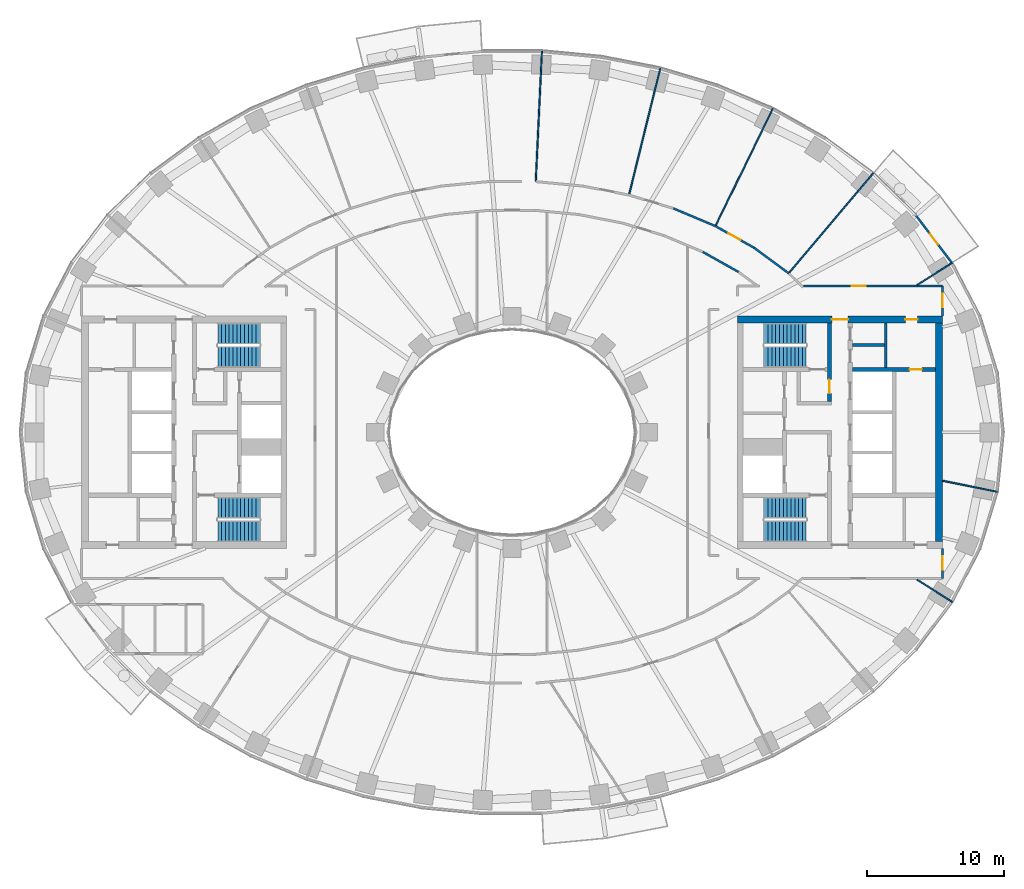
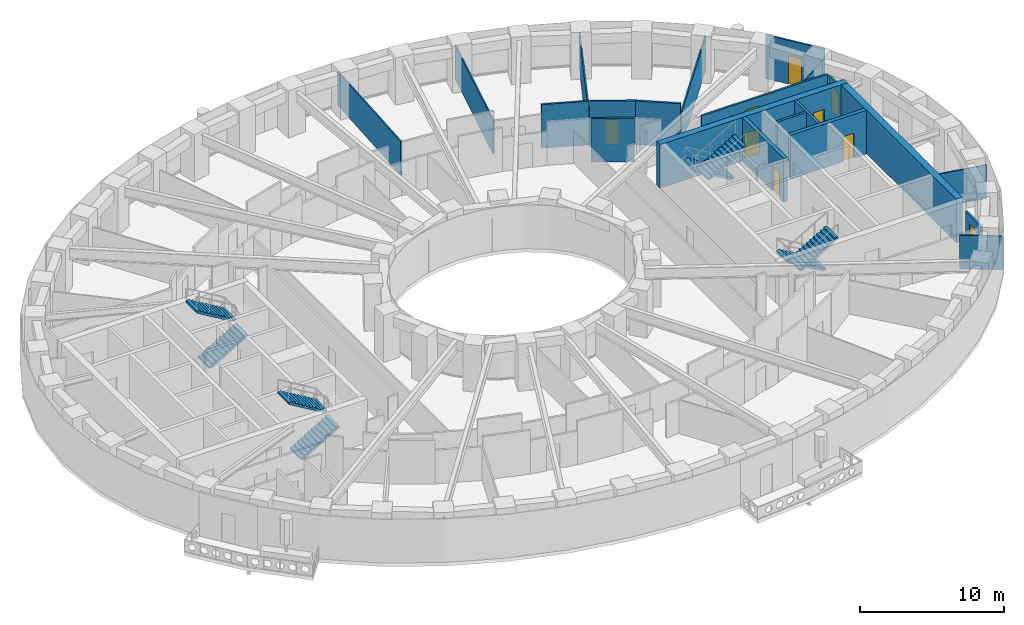
# One storey, part 7 of 16: 21 walls, 9 doors, 8 stair flights, 9 openings, 4 elements without a shape of their own.
"""IFC4 building model written with IfcOpenShell, lengths in metres."""

from ifc_helpers import new_model, si_unit, direction, frame, frame_2d, origin, place, context, subcontext, project, spatial, polyline, rectangle, outline, extrude, material, layer, layer_set, type_object, element, fill, aggregate, save


model = new_model("IFC4")

# Units and contexts
model_context = context("Model", 3, precision=1e-05, world=origin(), true_north=direction((0.0, 1.0)))
body_context = subcontext(model_context, "Body", "Model", "MODEL_VIEW")
ifc_project = project(units=[si_unit("LENGTHUNIT", "METRE"), si_unit("AREAUNIT", "SQUARE_METRE"), si_unit("VOLUMEUNIT", "CUBIC_METRE"), si_unit("PLANEANGLEUNIT", "RADIAN"), si_unit("MASSUNIT", "GRAM", prefix="KILO")], contexts=[model_context])

# Site, building, storey
site_placement = place(None, origin())
site = spatial("IfcSite", under=ifc_project, at=site_placement, CompositionType="ELEMENT")
building_placement = place(site_placement, origin())
building = spatial("IfcBuilding", under=site, at=building_placement, Name="Noorbagh Ring Tower", CompositionType="ELEMENT")
storey_placement = place(building_placement, frame((0.0, 0.0, 66.5)))
storey = spatial("IfcBuildingStorey", under=building, at=storey_placement, Name="L14", CompositionType="ELEMENT", Elevation=66.5)

# Walls
ifc_material_1 = material(Name="Gypsum board on steel studs", Category="steel")
ifc_layer_1 = layer(ifc_material_1, 0.199951171875)
ifc_layer_set_1 = layer_set([ifc_layer_1], Name="Gypsum board on steel studs")
wall_type_1 = type_object("IfcWallType", Name="CORE-PARTITION-200", PredefinedType="PARTITIONING", material=ifc_layer_set_1)
wall_1_placement = place(storey_placement, frame((27.35009765625, 4.75, 0.0), z_axis=(0.0, 0.0, 1.0), x_axis=(0.0, 1.0, 0.0)))
element("IfcWall", 1, at=wall_1_placement, inside=storey, type_object=wall_type_1, Name="Core partition E", PredefinedType="PARTITIONING", context=body_context, shape_type="SweptSolid", body=[
    extrude(rectangle(XDim=3.25, YDim=0.199951171875, at=frame_2d((1.625, 0.0))), origin(), (0.0, 0.0, 1.0), 3.699951171875),
])
wall_2_placement = place(storey_placement, frame((24.89990234375, 6.39990234375, 0.0), z_axis=(0.0, 0.0, 1.0), x_axis=(1.0, 0.0, 0.0)))
element("IfcWall", 2, at=wall_2_placement, inside=storey, type_object=wall_type_1, Name="Core partition E", PredefinedType="PARTITIONING", context=body_context, shape_type="SweptSolid", body=[
    extrude(rectangle(XDim=2.35009765625, YDim=0.199951171875, at=frame_2d((1.175048828125, 0.0))), origin(), (0.0, 0.0, 1.0), 3.699951171875),
])

# Wall, opening, door
ifc_material_2 = material(Name="Concrete C70/85", Category="concrete")
ifc_layer_2 = layer(ifc_material_2, 0.300048828125)
ifc_layer_set_2 = layer_set([ifc_layer_2], Name="Concrete C70/85")
wall_type_2 = type_object("IfcWallType", Name="CORE-WALL-300-C70-85-EI240", PredefinedType="SHEAR", material=ifc_layer_set_2)
wall_3_placement = place(storey_placement, frame((24.89990234375, 4.60009765625, 0.0), z_axis=(0.0, 0.0, 1.0), x_axis=(1.0, 0.0, 0.0)))
wall_3 = element("IfcWall", 3, at=wall_3_placement, inside=storey, type_object=wall_type_2, Name="Core wall E", PredefinedType="SHEAR", context=body_context, shape_type="SweptSolid", body=[
    extrude(rectangle(XDim=6.10009765625, YDim=0.300048828125, at=frame_2d((3.050048828125, 0.0))), origin(), (0.0, 0.0, 1.0), 3.699951171875),
])
opening_1_placement = place(wall_3_placement, frame((4.199951171875, 0.0, 0.0)))
opening_1 = element("IfcOpeningElement", 4, at=opening_1_placement, cuts=wall_3, Name="Opening L14-CE18", PredefinedType="OPENING", context=body_context, shape_type="SweptSolid", body=[
    extrude(rectangle(XDim=0.89990234375, YDim=2.10009765625, at=frame_2d((0.449951171875, 1.050048828125))), frame((0.0, 0.16015625, 0.0), z_axis=(0.0, -1.0, 0.0), x_axis=(1.0, 0.0, 0.0)), (0.0, 0.0, 1.0), 0.320068359375),
])
ifc_material_3 = material(Name="Steel door leaf", Category="steel")
door_type_1 = type_object("IfcDoorType", Name="CORE-DOOR-DROOM", OperationType="SINGLE_SWING_LEFT", PredefinedType="DOOR", material=ifc_material_3)
door_1_placement = place(opening_1_placement, origin())
door_1 = element("IfcDoor", 5, at=door_1_placement, inside=storey, type_object=door_type_1, Name="Core room door L14-CE18", OperationType="SINGLE_SWING_RIGHT", OverallHeight=2.10009765625, OverallWidth=0.89990234375, PredefinedType="DOOR", context=body_context, shape_type="SweptSolid", body=[
    extrude(rectangle(XDim=0.89990234375, YDim=2.10009765625, at=frame_2d((0.449951171875, 1.050048828125))), frame((0.0, 0.02490234375, 0.0), z_axis=(0.0, -1.0, 0.0), x_axis=(1.0, 0.0, 0.0)), (0.0, 0.0, 1.0), 0.050048828125),
])
fill(opening_1, door_1)

wall_4_placement = place(storey_placement, frame((23.22998046875, 2.25, 0.0), z_axis=(0.0, 0.0, 1.0), x_axis=(0.0, 1.0, 0.0)))
wall_4 = element("IfcWall", 6, at=wall_4_placement, inside=storey, type_object=wall_type_2, Name="Core wall E", PredefinedType="SHEAR", context=body_context, shape_type="SweptSolid", body=[
    extrude(rectangle(XDim=5.75, YDim=0.300048828125, at=frame_2d((2.875, 0.0))), origin(), (0.0, 0.0, 1.0), 3.699951171875),
])
opening_2_placement = place(wall_4_placement, frame((0.60009765625, 0.0, 0.0)))
opening_2 = element("IfcOpeningElement", 7, at=opening_2_placement, cuts=wall_4, Name="Opening L14-CE08", PredefinedType="OPENING", context=body_context, shape_type="SweptSolid", body=[
    extrude(rectangle(XDim=1.0, YDim=2.10009765625, at=frame_2d((0.5, 1.050048828125))), frame((0.0, 0.16015625, 0.0), z_axis=(0.0, -1.0, 0.0), x_axis=(1.0, 0.0, 0.0)), (0.0, 0.0, 1.0), 0.320068359375),
])
ifc_material_4 = material(Name="Steel door leaf", Category="steel")
door_type_2 = type_object("IfcDoorType", Name="CORE-DOOR-DVEST", OperationType="SINGLE_SWING_LEFT", PredefinedType="DOOR", material=ifc_material_4)
door_2_placement = place(opening_2_placement, origin())
door_2 = element("IfcDoor", 8, at=door_2_placement, inside=storey, type_object=door_type_2, Name="Stair vestibule door L14-CE08", OperationType="SINGLE_SWING_RIGHT", OverallHeight=2.10009765625, OverallWidth=1.0, PredefinedType="DOOR", context=body_context, shape_type="SweptSolid", body=[
    extrude(rectangle(XDim=1.0, YDim=2.10009765625, at=frame_2d((0.5, 1.050048828125))), frame((0.0, 0.02490234375, 0.0), z_axis=(0.0, -1.0, 0.0), x_axis=(1.0, 0.0, 0.0)), (0.0, 0.0, 1.0), 0.050048828125),
])
fill(opening_2, door_2)

# Wall, openings, doors
ifc_material_5 = material(Name="Concrete C70/85", Category="concrete")
ifc_layer_3 = layer(ifc_material_5, 0.5)
ifc_layer_set_3 = layer_set([ifc_layer_3], Name="Concrete C70/85")
wall_type_3 = type_object("IfcWallType", Name="CORE-WALL-500-C70-85-EI240", PredefinedType="SHEAR", material=ifc_layer_set_3)
wall_5_placement = place(storey_placement, frame((16.5, 8.25, 0.0), z_axis=(0.0, 0.0, 1.0), x_axis=(1.0, 0.0, 0.0)))
wall_5 = element("IfcWall", 9, at=wall_5_placement, inside=storey, type_object=wall_type_3, Name="Core wall E", PredefinedType="SHEAR", context=body_context, shape_type="SweptSolid", body=[
    extrude(rectangle(XDim=15.0, YDim=0.5, at=frame_2d((7.5, 0.0))), origin(), (0.0, 0.0, 1.0), 3.699951171875),
])
opening_3_placement = place(wall_5_placement, frame((6.89990234375, 0.0, 0.0)))
opening_3 = element("IfcOpeningElement", 10, at=opening_3_placement, cuts=wall_5, Name="Opening L14-CE09", PredefinedType="OPENING", context=body_context, shape_type="SweptSolid", body=[
    extrude(rectangle(XDim=1.199951171875, YDim=2.10009765625, at=frame_2d((0.60009765625, 1.050048828125))), frame((0.0, 0.260009765625, 0.0), z_axis=(0.0, -1.0, 0.0), x_axis=(1.0, 0.0, 0.0)), (0.0, 0.0, 1.0), 0.52001953125),
])
opening_4_placement = place(wall_5_placement, frame((12.27490234375, 0.0, 0.0)))
opening_4 = element("IfcOpeningElement", 11, at=opening_4_placement, cuts=wall_5, Name="Opening L14-CE15", PredefinedType="OPENING", context=body_context, shape_type="SweptSolid", body=[
    extrude(rectangle(XDim=0.89990234375, YDim=2.10009765625, at=frame_2d((0.449951171875, 1.050048828125))), frame((0.0, 0.260009765625, 0.0), z_axis=(0.0, -1.0, 0.0), x_axis=(1.0, 0.0, 0.0)), (0.0, 0.0, 1.0), 0.52001953125),
])
door_3_placement = place(opening_4_placement, origin())
door_3 = element("IfcDoor", 12, at=door_3_placement, inside=storey, type_object=door_type_1, Name="Core room door L14-CE15", OperationType="SINGLE_SWING_LEFT", OverallHeight=2.10009765625, OverallWidth=0.89990234375, PredefinedType="DOOR", context=body_context, shape_type="SweptSolid", body=[
    extrude(rectangle(XDim=0.89990234375, YDim=2.10009765625, at=frame_2d((0.449951171875, 1.050048828125))), frame((0.0, 0.02490234375, 0.0), z_axis=(0.0, -1.0, 0.0), x_axis=(1.0, 0.0, 0.0)), (0.0, 0.0, 1.0), 0.050048828125),
])
fill(opening_4, door_3)
ifc_material_6 = material(Name="Steel door leaf", Category="steel")
door_type_3 = type_object("IfcDoorType", Name="CORE-DOOR-PORT", OperationType="DOUBLE_DOOR_DOUBLE_SWING", PredefinedType="DOOR", material=ifc_material_6)
door_4_placement = place(opening_3_placement, origin())
door_4 = element("IfcDoor", 13, at=door_4_placement, inside=storey, type_object=door_type_3, Name="Core entrance door L14-CE09", OperationType="DOUBLE_DOOR_DOUBLE_SWING", OverallHeight=2.10009765625, OverallWidth=1.199951171875, PredefinedType="DOOR", context=body_context, shape_type="SweptSolid", body=[
    extrude(rectangle(XDim=1.199951171875, YDim=2.10009765625, at=frame_2d((0.60009765625, 1.050048828125))), frame((0.0, 0.02490234375, 0.0), z_axis=(0.0, -1.0, 0.0), x_axis=(1.0, 0.0, 0.0)), (0.0, 0.0, 1.0), 0.050048828125),
])
fill(opening_3, door_4)

# Walls
wall_6_placement = place(storey_placement, frame((31.25, -8.0, 0.0), z_axis=(0.0, 0.0, 1.0), x_axis=(0.0, 1.0, 0.0)))
element("IfcWall", 14, at=wall_6_placement, inside=storey, type_object=wall_type_3, Name="Core wall E", PredefinedType="SHEAR", context=body_context, shape_type="SweptSolid", body=[
    extrude(rectangle(XDim=16.0, YDim=0.5, at=frame_2d((8.0, 0.0))), origin(), (0.0, 0.0, 1.0), 3.699951171875),
])
ifc_material_7 = material(Name="Gypsum board on steel studs", Category="steel")
ifc_layer_4 = layer(ifc_material_7, 0.14990234375)
ifc_layer_set_4 = layer_set([ifc_layer_4], Name="Gypsum board on steel studs")
wall_type_4 = type_object("IfcWallType", Name="CORRIDOR PARTITION 150 EI 30", PredefinedType="PARTITIONING", material=ifc_layer_set_4)
wall_7_placement = place(storey_placement, frame((11.81201171875, 16.384033203125, 0.0), z_axis=(0.0, 0.0, 1.0), x_axis=(0.921839278558, -0.387572373252, 0.0)))
element("IfcWall", 15, at=wall_7_placement, inside=storey, type_object=wall_type_4, Name="L14/wall/P79", PredefinedType="PARTITIONING", context=body_context, shape_type="SweptSolid", body=[
    extrude(rectangle(XDim=3.33349609375, YDim=0.14990234375, at=frame_2d((1.666748046875, 0.0))), origin(), (0.0, 0.0, 1.0), 3.699951171875),
])
wall_8_placement = place(storey_placement, frame((13.9609375, 13.201904296875, 0.0), z_axis=(0.0, 0.0, 1.0), x_axis=(0.872164226045, -0.489213207924, 0.0)))
element("IfcWall", 16, at=wall_8_placement, inside=storey, type_object=wall_type_4, Name="L14/wall/P82", PredefinedType="PARTITIONING", context=body_context, shape_type="SweptSolid", body=[
    extrude(rectangle(XDim=2.998291015625, YDim=0.14990234375, at=frame_2d((1.4990234375, 0.0))), origin(), (0.0, 0.0, 1.0), 3.699951171875),
])

# Wall, opening, door
wall_9_placement = place(storey_placement, frame((14.902099609375, 15.08203125, 0.0), z_axis=(0.0, 0.0, 1.0), x_axis=(0.872144615544, -0.489248167679, 0.0)))
wall_9 = element("IfcWall", 17, at=wall_9_placement, inside=storey, type_object=wall_type_4, Name="L14/wall/P89", PredefinedType="PARTITIONING", context=body_context, shape_type="SweptSolid", body=[
    extrude(rectangle(XDim=3.2275390625, YDim=0.14990234375, at=frame_2d((1.61376953125, 0.0))), origin(), (0.0, 0.0, 1.0), 3.699951171875),
])
opening_5_placement = place(wall_9_placement, frame((1.07763671875, 0.0, 0.0)))
opening_5 = element("IfcOpeningElement", 18, at=opening_5_placement, cuts=wall_9, Name="Opening D1", PredefinedType="OPENING", context=body_context, shape_type="SweptSolid", body=[
    extrude(rectangle(XDim=1.0, YDim=2.10009765625, at=frame_2d((0.5, 1.050048828125))), frame((0.0, 0.0849609375, 0.0), z_axis=(0.0, -1.0, 0.0), x_axis=(1.0, 0.0, 0.0)), (0.0, 0.0, 1.0), 0.169921875),
])
ifc_material_8 = material(Name="Timber, painted", Category="wood")
door_type_4 = type_object("IfcDoorType", Name="DOOR 1000 X 2100 FD30", OperationType="SINGLE_SWING_LEFT", PredefinedType="DOOR", material=ifc_material_8)
door_5_placement = place(opening_5_placement, origin())
door_5 = element("IfcDoor", 19, at=door_5_placement, inside=storey, type_object=door_type_4, Name="L14-D16", OperationType="SINGLE_SWING_RIGHT", OverallHeight=2.10009765625, OverallWidth=1.0, PredefinedType="DOOR", context=body_context, shape_type="SweptSolid", body=[
    extrude(rectangle(XDim=1.0, YDim=2.10009765625, at=frame_2d((0.5, 1.050048828125))), frame((0.0, 0.02490234375, 0.0), z_axis=(0.0, -1.0, 0.0), x_axis=(1.0, 0.0, 0.0)), (0.0, 0.0, 1.0), 0.050048828125),
])
fill(opening_5, door_5)

# Wall
wall_10_placement = place(storey_placement, frame((17.717041015625, 13.5029296875, 0.0), z_axis=(0.0, 0.0, 1.0), x_axis=(0.805106688633, -0.593130019404, 0.0)))
element("IfcWall", 20, at=wall_10_placement, inside=storey, type_object=wall_type_4, Name="L14/wall/P97", PredefinedType="PARTITIONING", context=body_context, shape_type="SweptSolid", body=[
    extrude(rectangle(XDim=3.13720703125, YDim=0.14990234375, at=frame_2d((1.568603515625, 0.0))), origin(), (0.0, 0.0, 1.0), 3.699951171875),
])

# Wall, opening, door
wall_11_placement = place(storey_placement, frame((21.320068359375, 10.699951171875, 0.0), z_axis=(0.0, 0.0, 1.0), x_axis=(1.0, 0.0, 0.0)))
wall_11 = element("IfcWall", 21, at=wall_11_placement, inside=storey, type_object=wall_type_4, Name="L14/wall/P103", PredefinedType="PARTITIONING", context=body_context, shape_type="SweptSolid", body=[
    extrude(rectangle(XDim=10.179931640625, YDim=0.14990234375, at=frame_2d((5.08984375, 0.0))), origin(), (0.0, 0.0, 1.0), 2.85009765625),
])
opening_6_placement = place(wall_11_placement, frame((3.551025390625, 0.0, 0.0)))
opening_6 = element("IfcOpeningElement", 22, at=opening_6_placement, cuts=wall_11, Name="Opening D1", PredefinedType="OPENING", context=body_context, shape_type="SweptSolid", body=[
    extrude(rectangle(XDim=1.0, YDim=2.10009765625, at=frame_2d((0.5, 1.050048828125))), frame((0.0, 0.0849609375, 0.0), z_axis=(0.0, -1.0, 0.0), x_axis=(1.0, 0.0, 0.0)), (0.0, 0.0, 1.0), 0.169921875),
])
door_6_placement = place(opening_6_placement, origin())
door_6 = element("IfcDoor", 23, at=door_6_placement, inside=storey, type_object=door_type_4, Name="L14-D18", OperationType="SINGLE_SWING_RIGHT", OverallHeight=2.10009765625, OverallWidth=1.0, PredefinedType="DOOR", context=body_context, shape_type="SweptSolid", body=[
    extrude(rectangle(XDim=1.0, YDim=2.10009765625, at=frame_2d((0.5, 1.050048828125))), frame((0.0, 0.02490234375, 0.0), z_axis=(0.0, -1.0, 0.0), x_axis=(1.0, 0.0, 0.0)), (0.0, 0.0, 1.0), 0.050048828125),
])
fill(opening_6, door_6)

wall_12_placement = place(storey_placement, frame((31.5, -10.699951171875, 0.0), z_axis=(0.0, 0.0, 1.0), x_axis=(0.0, 1.0, 0.0)))
wall_12 = element("IfcWall", 24, at=wall_12_placement, inside=storey, type_object=wall_type_4, Name="L14/wall/P106", PredefinedType="PARTITIONING", context=body_context, shape_type="SweptSolid", body=[
    extrude(rectangle(XDim=2.199951171875, YDim=0.14990234375, at=frame_2d((1.10009765625, 0.0))), origin(), (0.0, 0.0, 1.0), 2.85009765625),
])
opening_7_placement = place(wall_12_placement, frame((0.64990234375, 0.0, 0.0)))
opening_7 = element("IfcOpeningElement", 25, at=opening_7_placement, cuts=wall_12, Name="Opening D1", PredefinedType="OPENING", context=body_context, shape_type="SweptSolid", body=[
    extrude(rectangle(XDim=1.0, YDim=2.10009765625, at=frame_2d((0.5, 1.050048828125))), frame((0.0, 0.0849609375, 0.0), z_axis=(0.0, -1.0, 0.0), x_axis=(1.0, 0.0, 0.0)), (0.0, 0.0, 1.0), 0.169921875),
])
door_7_placement = place(opening_7_placement, origin())
door_7 = element("IfcDoor", 26, at=door_7_placement, inside=storey, type_object=door_type_4, Name="L14-D19", OperationType="SINGLE_SWING_LEFT", OverallHeight=2.10009765625, OverallWidth=1.0, PredefinedType="DOOR", context=body_context, shape_type="SweptSolid", body=[
    extrude(rectangle(XDim=1.0, YDim=2.10009765625, at=frame_2d((0.5, 1.050048828125))), frame((0.0, 0.02490234375, 0.0), z_axis=(0.0, -1.0, 0.0), x_axis=(1.0, 0.0, 0.0)), (0.0, 0.0, 1.0), 0.050048828125),
])
fill(opening_7, door_7)

wall_13_placement = place(storey_placement, frame((31.5, 8.5, 0.0), z_axis=(0.0, 0.0, 1.0), x_axis=(0.0, 1.0, 0.0)))
wall_13 = element("IfcWall", 27, at=wall_13_placement, inside=storey, type_object=wall_type_4, Name="L14/wall/P108", PredefinedType="PARTITIONING", context=body_context, shape_type="SweptSolid", body=[
    extrude(rectangle(XDim=2.199951171875, YDim=0.14990234375, at=frame_2d((1.10009765625, 0.0))), origin(), (0.0, 0.0, 1.0), 2.85009765625),
])
opening_8_placement = place(wall_13_placement, frame((0.64990234375, 0.0, 0.0)))
opening_8 = element("IfcOpeningElement", 28, at=opening_8_placement, cuts=wall_13, Name="Opening D1", PredefinedType="OPENING", context=body_context, shape_type="SweptSolid", body=[
    extrude(rectangle(XDim=1.0, YDim=2.10009765625, at=frame_2d((0.5, 1.050048828125))), frame((0.0, 0.0849609375, 0.0), z_axis=(0.0, -1.0, 0.0), x_axis=(1.0, 0.0, 0.0)), (0.0, 0.0, 1.0), 0.169921875),
])
door_8_placement = place(opening_8_placement, origin())
door_8 = element("IfcDoor", 29, at=door_8_placement, inside=storey, type_object=door_type_4, Name="L14-D20", OperationType="SINGLE_SWING_RIGHT", OverallHeight=2.10009765625, OverallWidth=1.0, PredefinedType="DOOR", context=body_context, shape_type="SweptSolid", body=[
    extrude(rectangle(XDim=1.0, YDim=2.10009765625, at=frame_2d((0.5, 1.050048828125))), frame((0.0, 0.02490234375, 0.0), z_axis=(0.0, -1.0, 0.0), x_axis=(1.0, 0.0, 0.0)), (0.0, 0.0, 1.0), 0.050048828125),
])
fill(opening_8, door_8)

ifc_material_9 = material(Name="Insulated aluminium clad panel", Category="aluminium")
ifc_layer_5 = layer(ifc_material_9, 0.14990234375)
ifc_layer_set_5 = layer_set([ifc_layer_5], Name="Insulated aluminium clad panel")
wall_type_5 = type_object("IfcWallType", Name="ENV-WALL-DOOR", PredefinedType="STANDARD", material=ifc_layer_set_5)
wall_14_placement = place(storey_placement, frame((32.20751953125, 12.37353515625, 0.0), z_axis=(0.0, 0.0, 1.0), x_axis=(-0.604045763106, 0.796949632081, 0.0)))
wall_14 = element("IfcWall", 30, at=wall_14_placement, inside=storey, type_object=wall_type_5, Name="Balcony door wall chord 04", PredefinedType="STANDARD", context=body_context, shape_type="SweptSolid", body=[
    extrude(rectangle(XDim=4.42333984375, YDim=0.14990234375, at=frame_2d((2.211669921875, 0.0))), origin(), (0.0, 0.0, 1.0), 3.699951171875),
])
opening_9_placement = place(wall_14_placement, frame((1.711669921875, 0.0, 0.0)))
opening_9 = element("IfcOpeningElement", 31, at=opening_9_placement, cuts=wall_14, Name="Opening D-BL", PredefinedType="OPENING", context=body_context, shape_type="SweptSolid", body=[
    extrude(rectangle(XDim=1.0, YDim=2.39990234375, at=frame_2d((0.5, 1.199951171875))), frame((0.0, 0.0849609375, 0.0), z_axis=(0.0, -1.0, 0.0), x_axis=(1.0, 0.0, 0.0)), (0.0, 0.0, 1.0), 0.169921875),
])
ifc_material_10 = material(Name="Aluminium and glass", Category="aluminium")
door_type_5 = type_object("IfcDoorType", Name="ENV-DOOR-BALCONY", OperationType="SINGLE_SWING_LEFT", PredefinedType="DOOR", material=ifc_material_10)
door_9_placement = place(opening_9_placement, origin())
door_9 = element("IfcDoor", 32, at=door_9_placement, inside=storey, type_object=door_type_5, Name="Balcony door chord 04", OperationType="SINGLE_SWING_LEFT", OverallHeight=2.39990234375, OverallWidth=1.0, PredefinedType="DOOR", context=body_context, shape_type="SweptSolid", body=[
    extrude(rectangle(XDim=1.0, YDim=2.39990234375, at=frame_2d((0.5, 1.199951171875))), frame((0.0, 0.02490234375, 0.0), z_axis=(0.0, -1.0, 0.0), x_axis=(1.0, 0.0, 0.0)), (0.0, 0.0, 1.0), 0.050048828125),
])
fill(opening_9, door_9)

# Walls
ifc_material_11 = material(Name="Gypsum board on steel studs", Category="steel")
ifc_layer_6 = layer(ifc_material_11, 0.10009765625)
ifc_layer_set_6 = layer_set([ifc_layer_6], Name="Gypsum board on steel studs")
wall_type_6 = type_object("IfcWallType", Name="PARTITION 100 GYPSUM", PredefinedType="PARTITIONING", material=ifc_layer_set_6)
wall_15_placement = place(storey_placement, frame((1.739013671875, 18.385986328125, 0.0), z_axis=(0.0, 0.0, 1.0), x_axis=(0.04735320064, 0.998878207986, 0.0)))
element("IfcWall", 33, at=wall_15_placement, inside=storey, type_object=wall_type_6, Name="L14/wall/P61", PredefinedType="PARTITIONING", context=body_context, shape_type="SweptSolid", body=[
    extrude(rectangle(XDim=9.522705078125, YDim=0.10009765625, at=frame_2d((4.76123046875, 0.0))), origin(), (0.0, 0.0, 1.0), 2.85009765625),
])
wall_16_placement = place(storey_placement, frame((8.56103515625, 17.366943359375, 0.0), z_axis=(0.0, 0.0, 1.0), x_axis=(0.239800031194, 0.970822303534, 0.0)))
element("IfcWall", 34, at=wall_16_placement, inside=storey, type_object=wall_type_6, Name="L14/wall/P75", PredefinedType="PARTITIONING", context=body_context, shape_type="SweptSolid", body=[
    extrude(rectangle(XDim=9.557861328125, YDim=0.10009765625, at=frame_2d((4.77880859375, 0.0))), origin(), (0.0, 0.0, 1.0), 2.85009765625),
])
wall_17_placement = place(storey_placement, frame((14.886962890625, 15.095947265625, 0.0), z_axis=(0.0, 0.0, 1.0), x_axis=(0.439197765869, 0.89839040648, 0.0)))
element("IfcWall", 35, at=wall_17_placement, inside=storey, type_object=wall_type_6, Name="L14/wall/P87", PredefinedType="PARTITIONING", context=body_context, shape_type="SweptSolid", body=[
    extrude(rectangle(XDim=9.560546875, YDim=0.10009765625, at=frame_2d((4.7802734375, 0.0))), origin(), (0.0, 0.0, 1.0), 2.85009765625),
])
wall_18_placement = place(storey_placement, frame((20.2451171875, 11.64501953125, 0.0), z_axis=(0.0, 0.0, 1.0), x_axis=(0.646420249139, 0.762981560395, 0.0)))
element("IfcWall", 36, at=wall_18_placement, inside=storey, type_object=wall_type_6, Name="L14/wall/P99", PredefinedType="PARTITIONING", context=body_context, shape_type="SweptSolid", body=[
    extrude(rectangle(XDim=9.56787109375, YDim=0.10009765625, at=frame_2d((4.783935546875, 0.0))), origin(), (0.0, 0.0, 1.0), 2.85009765625),
])
for number, where, z_axis, x_axis, name in (
    (37, (29.636962890625, -10.777099609375, 0.0), (0.0, 0.0, 1.0), (0.844810627195, -0.535065420467, 0.0), "L14/wall/P104"),
    (38, (29.636962890625, 10.777099609375, 0.0), (0.0, 0.0, 1.0), (0.844810627195, 0.535065420467, 0.0), "L14/wall/P105"),
):
    element("IfcWall", number, at=place(storey_placement, frame(where, z_axis=z_axis, x_axis=x_axis)), inside=storey, type_object=wall_type_6, Name=name, PredefinedType="PARTITIONING", context=body_context, shape_type="SweptSolid", body=[
        extrude(rectangle(XDim=3.0478515625, YDim=0.10009765625, at=frame_2d((1.52392578125, 0.0))), origin(), (0.0, 0.0, 1.0), 2.85009765625),
    ])
wall_19_placement = place(storey_placement, frame((31.5, -3.5419921875, 0.0), z_axis=(0.0, 0.0, 1.0), x_axis=(0.980357474535, -0.197228857227, 0.0)))
element("IfcWall", 39, at=wall_19_placement, inside=storey, type_object=wall_type_6, Name="L14/wall/P107", PredefinedType="PARTITIONING", context=body_context, shape_type="SweptSolid", body=[
    extrude(rectangle(XDim=4.09228515625, YDim=0.10009765625, at=frame_2d((2.046142578125, 0.0))), origin(), (0.0, 0.0, 1.0), 2.85009765625),
])

# Stair, stair flights
ifc_material_12 = material(Name="Concrete C40/50", Category="concrete")
stair_type = type_object("IfcStairType", Name="CORE-STAIR", PredefinedType="HALF_TURN_STAIR", material=ifc_material_12)
stair_1_placement = place(storey_placement, origin())
stair_1 = element("IfcStair", 40, at=stair_1_placement, inside=storey, type_object=stair_type, Name="L14 Exit stair ST1", PredefinedType="HALF_TURN_STAIR")
ifc_material_13 = material(Name="Concrete C40/50", Category="concrete")
stair_flight_type = type_object("IfcStairFlightType", Name="CORE-STAIR-FLIGHT", PredefinedType="STRAIGHT", material=ifc_material_13)
stair_flight_1_placement = place(storey_placement, frame((-21.530029296875, 5.52490234375, 0.0), z_axis=(0.0, 0.0, 1.0), x_axis=(1.0, 0.0, 0.0)))
stair_flight_1 = element("IfcStairFlight", 41, at=stair_flight_1_placement, type_object=stair_flight_type, Name="ST1 flight 1", NumberOfRisers=12, NumberOfTreads=11, PredefinedType="STRAIGHT", RiserHeight=0.166666667, TreadLength=0.28, context=body_context, shape_type="SweptSolid", body=[
    extrude(outline(polyline([(0.0, 0.0), (0.0, 0.166748046875), (0.280029296875, 0.166748046875), (0.280029296875, 0.333251953125), (0.56005859375, 0.333251953125), (0.56005859375, 0.5), (0.840087890625, 0.5), (0.840087890625, 0.666748046875), (1.1201171875, 0.666748046875), (1.1201171875, 0.833251953125), (1.39990234375, 0.833251953125), (1.39990234375, 1.0), (1.679931640625, 1.0), (1.679931640625, 1.166748046875), (1.9599609375, 1.166748046875), (1.9599609375, 1.333251953125), (2.239990234375, 1.333251953125), (2.239990234375, 1.5), (2.52001953125, 1.5), (2.52001953125, 1.666748046875), (2.800048828125, 1.666748046875), (2.800048828125, 1.833251953125), (3.080078125, 1.833251953125), (3.080078125, 2.0), (3.080078125, 1.658935546875), (0.29296875, 0.0), (0.0, 0.0)])), frame((0.0, 0.77490234375, 0.0), z_axis=(0.0, -1.0, 0.0), x_axis=(1.0, 0.0, 0.0)), (0.0, 0.0, 1.0), 1.550048828125),
])
stair_flight_2_placement = place(storey_placement, frame((-18.449951171875, 7.22509765625, 2.0), z_axis=(0.0, 0.0, 1.0), x_axis=(-1.0, 0.0, 0.0)))
stair_flight_2 = element("IfcStairFlight", 42, at=stair_flight_2_placement, type_object=stair_flight_type, Name="ST1 flight 2", NumberOfRisers=12, NumberOfTreads=11, PredefinedType="STRAIGHT", RiserHeight=0.166666667, TreadLength=0.28, context=body_context, shape_type="SweptSolid", body=[
    extrude(outline(polyline([(0.0, 0.0), (0.0, 0.166748046875), (0.280029296875, 0.166748046875), (0.280029296875, 0.333251953125), (0.56005859375, 0.333251953125), (0.56005859375, 0.5), (0.840087890625, 0.5), (0.840087890625, 0.666748046875), (1.1201171875, 0.666748046875), (1.1201171875, 0.833251953125), (1.39990234375, 0.833251953125), (1.39990234375, 1.0), (1.679931640625, 1.0), (1.679931640625, 1.166748046875), (1.9599609375, 1.166748046875), (1.9599609375, 1.333251953125), (2.239990234375, 1.333251953125), (2.239990234375, 1.5), (2.52001953125, 1.5), (2.52001953125, 1.666748046875), (2.800048828125, 1.666748046875), (2.800048828125, 1.833251953125), (3.080078125, 1.833251953125), (3.080078125, 2.0), (3.080078125, 1.658935546875), (0.29296875, 0.0), (0.0, 0.0)])), frame((0.0, 0.77490234375, 0.0), z_axis=(0.0, -1.0, 0.0), x_axis=(1.0, 0.0, 0.0)), (0.0, 0.0, 1.0), 1.550048828125),
])
aggregate(stair_1, [stair_flight_1, stair_flight_2])

stair_2_placement = place(storey_placement, origin())
stair_2 = element("IfcStair", 43, at=stair_2_placement, inside=storey, type_object=stair_type, Name="L14 Exit stair ST2", PredefinedType="HALF_TURN_STAIR")
stair_flight_3_placement = place(storey_placement, frame((-21.530029296875, -7.22509765625, 0.0), z_axis=(0.0, 0.0, 1.0), x_axis=(1.0, 0.0, 0.0)))
stair_flight_3 = element("IfcStairFlight", 44, at=stair_flight_3_placement, type_object=stair_flight_type, Name="ST2 flight 1", NumberOfRisers=12, NumberOfTreads=11, PredefinedType="STRAIGHT", RiserHeight=0.166666667, TreadLength=0.28, context=body_context, shape_type="SweptSolid", body=[
    extrude(outline(polyline([(0.0, 0.0), (0.0, 0.166748046875), (0.280029296875, 0.166748046875), (0.280029296875, 0.333251953125), (0.56005859375, 0.333251953125), (0.56005859375, 0.5), (0.840087890625, 0.5), (0.840087890625, 0.666748046875), (1.1201171875, 0.666748046875), (1.1201171875, 0.833251953125), (1.39990234375, 0.833251953125), (1.39990234375, 1.0), (1.679931640625, 1.0), (1.679931640625, 1.166748046875), (1.9599609375, 1.166748046875), (1.9599609375, 1.333251953125), (2.239990234375, 1.333251953125), (2.239990234375, 1.5), (2.52001953125, 1.5), (2.52001953125, 1.666748046875), (2.800048828125, 1.666748046875), (2.800048828125, 1.833251953125), (3.080078125, 1.833251953125), (3.080078125, 2.0), (3.080078125, 1.658935546875), (0.29296875, 0.0), (0.0, 0.0)])), frame((0.0, 0.77490234375, 0.0), z_axis=(0.0, -1.0, 0.0), x_axis=(1.0, 0.0, 0.0)), (0.0, 0.0, 1.0), 1.550048828125),
])
stair_flight_4_placement = place(storey_placement, frame((-18.449951171875, -5.52490234375, 2.0), z_axis=(0.0, 0.0, 1.0), x_axis=(-1.0, 0.0, 0.0)))
stair_flight_4 = element("IfcStairFlight", 45, at=stair_flight_4_placement, type_object=stair_flight_type, Name="ST2 flight 2", NumberOfRisers=12, NumberOfTreads=11, PredefinedType="STRAIGHT", RiserHeight=0.166666667, TreadLength=0.28, context=body_context, shape_type="SweptSolid", body=[
    extrude(outline(polyline([(0.0, 0.0), (0.0, 0.166748046875), (0.280029296875, 0.166748046875), (0.280029296875, 0.333251953125), (0.56005859375, 0.333251953125), (0.56005859375, 0.5), (0.840087890625, 0.5), (0.840087890625, 0.666748046875), (1.1201171875, 0.666748046875), (1.1201171875, 0.833251953125), (1.39990234375, 0.833251953125), (1.39990234375, 1.0), (1.679931640625, 1.0), (1.679931640625, 1.166748046875), (1.9599609375, 1.166748046875), (1.9599609375, 1.333251953125), (2.239990234375, 1.333251953125), (2.239990234375, 1.5), (2.52001953125, 1.5), (2.52001953125, 1.666748046875), (2.800048828125, 1.666748046875), (2.800048828125, 1.833251953125), (3.080078125, 1.833251953125), (3.080078125, 2.0), (3.080078125, 1.658935546875), (0.29296875, 0.0), (0.0, 0.0)])), frame((0.0, 0.77490234375, 0.0), z_axis=(0.0, -1.0, 0.0), x_axis=(1.0, 0.0, 0.0)), (0.0, 0.0, 1.0), 1.550048828125),
])
aggregate(stair_2, [stair_flight_3, stair_flight_4])

stair_3_placement = place(storey_placement, origin())
stair_3 = element("IfcStair", 46, at=stair_3_placement, inside=storey, type_object=stair_type, Name="L14 Exit stair ST3", PredefinedType="HALF_TURN_STAIR")
stair_flight_5_placement = place(storey_placement, frame((21.530029296875, 7.22509765625, 0.0), z_axis=(0.0, 0.0, 1.0), x_axis=(-1.0, 0.0, 0.0)))
stair_flight_5 = element("IfcStairFlight", 47, at=stair_flight_5_placement, type_object=stair_flight_type, Name="ST3 flight 1", NumberOfRisers=12, NumberOfTreads=11, PredefinedType="STRAIGHT", RiserHeight=0.166666667, TreadLength=0.28, context=body_context, shape_type="SweptSolid", body=[
    extrude(outline(polyline([(0.0, 0.0), (0.0, 0.166748046875), (0.280029296875, 0.166748046875), (0.280029296875, 0.333251953125), (0.56005859375, 0.333251953125), (0.56005859375, 0.5), (0.840087890625, 0.5), (0.840087890625, 0.666748046875), (1.1201171875, 0.666748046875), (1.1201171875, 0.833251953125), (1.39990234375, 0.833251953125), (1.39990234375, 1.0), (1.679931640625, 1.0), (1.679931640625, 1.166748046875), (1.9599609375, 1.166748046875), (1.9599609375, 1.333251953125), (2.239990234375, 1.333251953125), (2.239990234375, 1.5), (2.52001953125, 1.5), (2.52001953125, 1.666748046875), (2.800048828125, 1.666748046875), (2.800048828125, 1.833251953125), (3.080078125, 1.833251953125), (3.080078125, 2.0), (3.080078125, 1.658935546875), (0.29296875, 0.0), (0.0, 0.0)])), frame((0.0, 0.77490234375, 0.0), z_axis=(0.0, -1.0, 0.0), x_axis=(1.0, 0.0, 0.0)), (0.0, 0.0, 1.0), 1.550048828125),
])
stair_flight_6_placement = place(storey_placement, frame((18.449951171875, 5.52490234375, 2.0), z_axis=(0.0, 0.0, 1.0), x_axis=(1.0, 0.0, 0.0)))
stair_flight_6 = element("IfcStairFlight", 48, at=stair_flight_6_placement, type_object=stair_flight_type, Name="ST3 flight 2", NumberOfRisers=12, NumberOfTreads=11, PredefinedType="STRAIGHT", RiserHeight=0.166666667, TreadLength=0.28, context=body_context, shape_type="SweptSolid", body=[
    extrude(outline(polyline([(0.0, 0.0), (0.0, 0.166748046875), (0.280029296875, 0.166748046875), (0.280029296875, 0.333251953125), (0.56005859375, 0.333251953125), (0.56005859375, 0.5), (0.840087890625, 0.5), (0.840087890625, 0.666748046875), (1.1201171875, 0.666748046875), (1.1201171875, 0.833251953125), (1.39990234375, 0.833251953125), (1.39990234375, 1.0), (1.679931640625, 1.0), (1.679931640625, 1.166748046875), (1.9599609375, 1.166748046875), (1.9599609375, 1.333251953125), (2.239990234375, 1.333251953125), (2.239990234375, 1.5), (2.52001953125, 1.5), (2.52001953125, 1.666748046875), (2.800048828125, 1.666748046875), (2.800048828125, 1.833251953125), (3.080078125, 1.833251953125), (3.080078125, 2.0), (3.080078125, 1.658935546875), (0.29296875, 0.0), (0.0, 0.0)])), frame((0.0, 0.77490234375, 0.0), z_axis=(0.0, -1.0, 0.0), x_axis=(1.0, 0.0, 0.0)), (0.0, 0.0, 1.0), 1.550048828125),
])
aggregate(stair_3, [stair_flight_5, stair_flight_6])

stair_4_placement = place(storey_placement, origin())
stair_4 = element("IfcStair", 49, at=stair_4_placement, inside=storey, type_object=stair_type, Name="L14 Exit stair ST4", PredefinedType="HALF_TURN_STAIR")
stair_flight_7_placement = place(storey_placement, frame((21.530029296875, -5.52490234375, 0.0), z_axis=(0.0, 0.0, 1.0), x_axis=(-1.0, 0.0, 0.0)))
stair_flight_7 = element("IfcStairFlight", 50, at=stair_flight_7_placement, type_object=stair_flight_type, Name="ST4 flight 1", NumberOfRisers=12, NumberOfTreads=11, PredefinedType="STRAIGHT", RiserHeight=0.166666667, TreadLength=0.28, context=body_context, shape_type="SweptSolid", body=[
    extrude(outline(polyline([(0.0, 0.0), (0.0, 0.166748046875), (0.280029296875, 0.166748046875), (0.280029296875, 0.333251953125), (0.56005859375, 0.333251953125), (0.56005859375, 0.5), (0.840087890625, 0.5), (0.840087890625, 0.666748046875), (1.1201171875, 0.666748046875), (1.1201171875, 0.833251953125), (1.39990234375, 0.833251953125), (1.39990234375, 1.0), (1.679931640625, 1.0), (1.679931640625, 1.166748046875), (1.9599609375, 1.166748046875), (1.9599609375, 1.333251953125), (2.239990234375, 1.333251953125), (2.239990234375, 1.5), (2.52001953125, 1.5), (2.52001953125, 1.666748046875), (2.800048828125, 1.666748046875), (2.800048828125, 1.833251953125), (3.080078125, 1.833251953125), (3.080078125, 2.0), (3.080078125, 1.658935546875), (0.29296875, 0.0), (0.0, 0.0)])), frame((0.0, 0.77490234375, 0.0), z_axis=(0.0, -1.0, 0.0), x_axis=(1.0, 0.0, 0.0)), (0.0, 0.0, 1.0), 1.550048828125),
])
stair_flight_8_placement = place(storey_placement, frame((18.449951171875, -7.22509765625, 2.0), z_axis=(0.0, 0.0, 1.0), x_axis=(1.0, 0.0, 0.0)))
stair_flight_8 = element("IfcStairFlight", 51, at=stair_flight_8_placement, type_object=stair_flight_type, Name="ST4 flight 2", NumberOfRisers=12, NumberOfTreads=11, PredefinedType="STRAIGHT", RiserHeight=0.166666667, TreadLength=0.28, context=body_context, shape_type="SweptSolid", body=[
    extrude(outline(polyline([(0.0, 0.0), (0.0, 0.166748046875), (0.280029296875, 0.166748046875), (0.280029296875, 0.333251953125), (0.56005859375, 0.333251953125), (0.56005859375, 0.5), (0.840087890625, 0.5), (0.840087890625, 0.666748046875), (1.1201171875, 0.666748046875), (1.1201171875, 0.833251953125), (1.39990234375, 0.833251953125), (1.39990234375, 1.0), (1.679931640625, 1.0), (1.679931640625, 1.166748046875), (1.9599609375, 1.166748046875), (1.9599609375, 1.333251953125), (2.239990234375, 1.333251953125), (2.239990234375, 1.5), (2.52001953125, 1.5), (2.52001953125, 1.666748046875), (2.800048828125, 1.666748046875), (2.800048828125, 1.833251953125), (3.080078125, 1.833251953125), (3.080078125, 2.0), (3.080078125, 1.658935546875), (0.29296875, 0.0), (0.0, 0.0)])), frame((0.0, 0.77490234375, 0.0), z_axis=(0.0, -1.0, 0.0), x_axis=(1.0, 0.0, 0.0)), (0.0, 0.0, 1.0), 1.550048828125),
])
aggregate(stair_4, [stair_flight_7, stair_flight_8])

save(model, "model.ifc")
